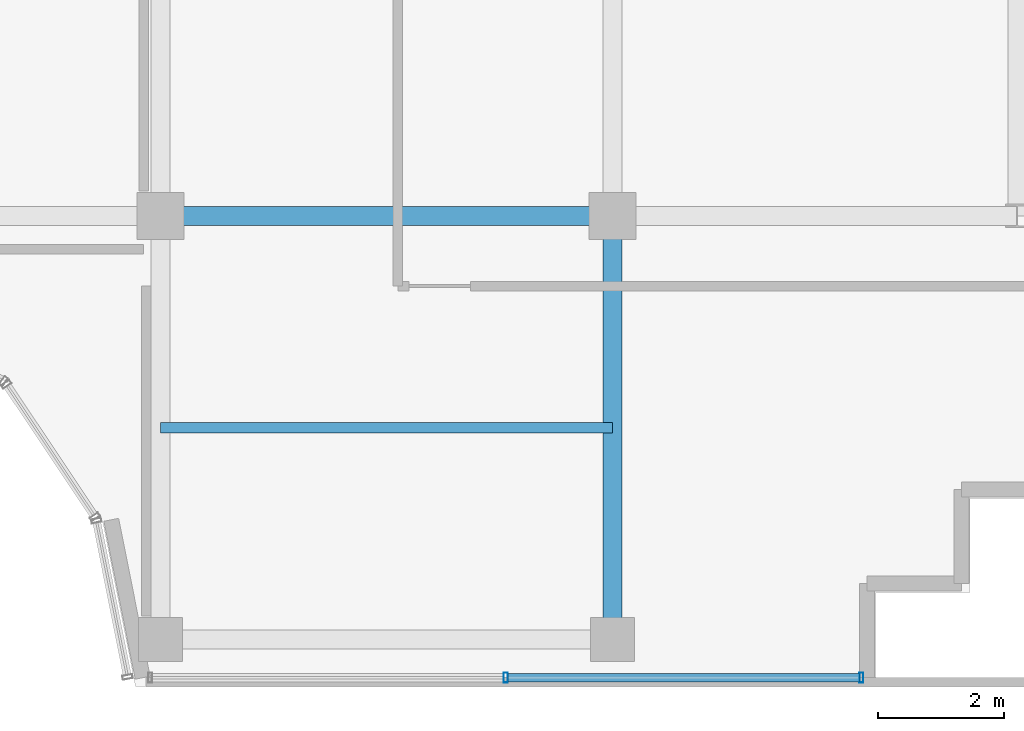
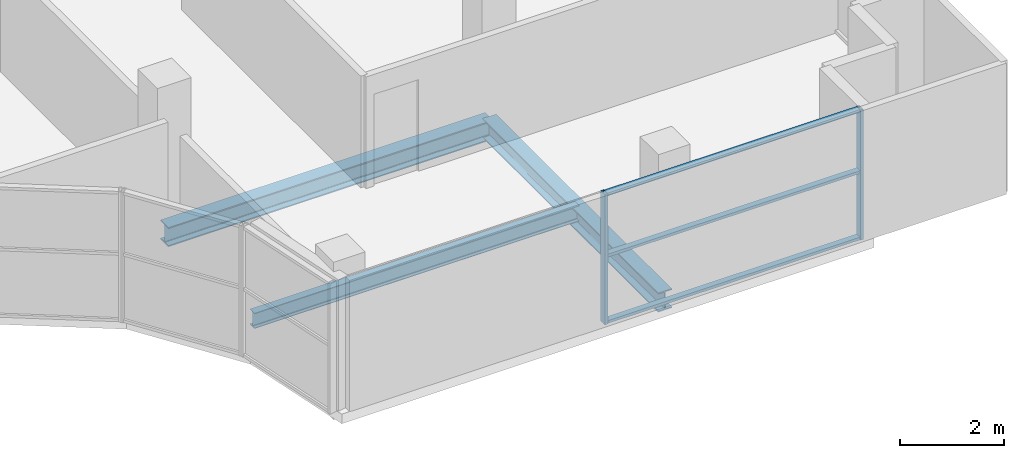
# One storey, part 11 of 28: 5 members, 3 beams, 1 element without a shape of its own.
"""IFC4 building model written with IfcOpenShell, lengths in metres."""

from ifc_helpers import new_model, si_unit, direction, frame, origin, origin_2d, place, context, subcontext, project, spatial, hollow_rectangle, i_section, extrude, source, transform, mapped, material, layer, layer_set, material_profile, profile_set, type_object, element, aggregate, save


model = new_model("IFC4")

# Units and contexts
model_context = context("Model", 3, precision=1e-05, world=origin(), true_north=direction((0.0, 1.0)))
body_context = subcontext(model_context, "Body", "Model", "MODEL_VIEW")
ifc_project = project(units=[si_unit("LENGTHUNIT", "METRE"), si_unit("AREAUNIT", "SQUARE_METRE"), si_unit("VOLUMEUNIT", "CUBIC_METRE"), si_unit("PLANEANGLEUNIT", "RADIAN"), si_unit("MASSUNIT", "GRAM", prefix="KILO")], contexts=[model_context])

# Site, building, storey
site_placement = place(None, origin())
site = spatial("IfcSite", under=ifc_project, at=site_placement, CompositionType="ELEMENT")
building_placement = place(site_placement, origin())
building = spatial("IfcBuilding", under=site, at=building_placement, Name="Zarnakvel Exchange Tower", CompositionType="ELEMENT")
storey_placement = place(building_placement, frame((0.0, 0.0, 261.699951171875)))
storey = spatial("IfcBuildingStorey", under=building, at=storey_placement, Name="L74", CompositionType="ELEMENT", Elevation=261.699951171875)

# Beams
ifc_material_1 = material(Name="Steel S355", Category="steel")
ifc_material_profile_1 = material_profile(ifc_material_1, i_section(OverallWidth=0.169921875, OverallDepth=0.360107421875, WebThickness=0.008056640625, FlangeThickness=0.0126953125, FilletRadius=0.01806640625, at=origin_2d()))
ifc_profile_set_1 = profile_set([ifc_material_profile_1], Name="Steel S355")
beam_type_1 = type_object("IfcBeamType", Name="B-07", PredefinedType="JOIST", material=ifc_profile_set_1)
beam_1_placement = place(storey_placement, frame((7.199951171875, -12.97509765625, -0.405029296875), z_axis=(1.0, 0.0, 0.0), x_axis=(0.0, 1.0, 0.0)))
element("IfcBeam", 1, at=beam_1_placement, inside=storey, type_object=beam_type_1, Name="L74 Composite Floor Secondary Joist", PredefinedType="JOIST", context=body_context, shape_type="SweptSolid", body=[
    extrude(i_section(OverallWidth=0.169921875, OverallDepth=0.360107421875, WebThickness=0.008056640625, FlangeThickness=0.0126953125, FilletRadius=0.01806640625, at=origin_2d()), origin(), (0.0, 0.0, 1.0), 7.199951171875),
])
ifc_material_profile_2 = material_profile(ifc_material_1, i_section(OverallWidth=0.300048828125, OverallDepth=0.449951171875, WebThickness=0.013916015625, FlangeThickness=0.02587890625, FilletRadius=0.027099609375, at=origin_2d()))
ifc_profile_set_2 = profile_set([ifc_material_profile_2], Name="Steel S355")
beam_type_2 = type_object("IfcBeamType", Name="G-07", PredefinedType="BEAM", material=ifc_profile_set_2)
beam_2_placement = place(storey_placement, frame((7.199951171875, -9.60009765625, -0.449951171875), z_axis=(1.0, 0.0, 0.0), x_axis=(0.0, 1.0, 0.0)))
element("IfcBeam", 2, at=beam_2_placement, inside=storey, type_object=beam_type_2, Name="L74 Tower E-W Frame Beam", PredefinedType="BEAM", context=body_context, shape_type="SweptSolid", body=[
    extrude(i_section(OverallWidth=0.300048828125, OverallDepth=0.449951171875, WebThickness=0.013916015625, FlangeThickness=0.02587890625, FilletRadius=0.027099609375, at=origin_2d()), origin(), (0.0, 0.0, 1.0), 7.199951171875),
])
beam_3_placement = place(storey_placement, frame((14.39990234375, -16.35009765625, -0.449951171875), z_axis=(0.0, 1.0, 0.0), x_axis=(-1.0, 0.0, 0.0)))
element("IfcBeam", 3, at=beam_3_placement, inside=storey, type_object=beam_type_2, Name="L74 Tower N-S Frame Beam", PredefinedType="BEAM", context=body_context, shape_type="SweptSolid", body=[
    extrude(i_section(OverallWidth=0.300048828125, OverallDepth=0.449951171875, WebThickness=0.013916015625, FlangeThickness=0.02587890625, FilletRadius=0.027099609375, at=origin_2d()), origin(), (0.0, 0.0, 1.0), 6.75),
])

# Curtain wall, members
ifc_material_2 = material(Name="Architectural Bronze Anodised Aluminium", Category="aluminium")
ifc_layer = layer(ifc_material_2, 0.159912109375)
ifc_layer_set = layer_set([ifc_layer], Name="Architectural Bronze Anodised Aluminium")
curtain_wall_type = type_object("IfcCurtainWallType", Name="CW-06", PredefinedType="NOTDEFINED", material=ifc_layer_set)
curtain_wall_placement = place(storey_placement, origin())
curtain_wall = element("IfcCurtainWall", 4, at=curtain_wall_placement, inside=storey, type_object=curtain_wall_type, Name="L74 Curtain Wall CW-L74-NSE (CW-06)", PredefinedType="NOTDEFINED")
ifc_material_profile_3 = material_profile(ifc_material_2, hollow_rectangle(XDim=0.1298828125, YDim=0.06494140625, WallThickness=0.00390625, at=origin_2d()))
ifc_profile_set_3 = profile_set([ifc_material_profile_3], Name="Architectural Bronze Anodised Aluminium")
member_type_1 = type_object("IfcMemberType", Name="CWT-06", PredefinedType="USERDEFINED", material=ifc_profile_set_3)
shared_shape_1 = source(origin(), body_context, "Body", "SweptSolid", [
    extrude(hollow_rectangle(XDim=0.1298828125, YDim=0.06494140625, WallThickness=0.00390625, at=origin_2d()), origin(), (0.0, 0.0, 1.0), 5.6025390625),
])
member_1_placement = place(storey_placement, frame((12.732421875, -16.9599609375, 0.032470703125), z_axis=(1.0, 0.0, 0.0), x_axis=(0.0, 1.0, 0.0)))
member_1 = element("IfcMember", 5, at=member_1_placement, type_object=member_type_1, Name="CW-06 transom 2.1", ObjectType="TRANSOM", PredefinedType="USERDEFINED", context=body_context, shape_type="MappedRepresentation", body=[
    mapped(shared_shape_1, transform((0.0, 0.0, 0.0), x_axis=(1.0, 0.0, 0.0), y_axis=(0.0, 1.0, 0.0), z_axis=(0.0, 0.0, 1.0), scale=1.0)),
])
member_2_placement = place(storey_placement, frame((12.732421875, -16.9599609375, 1.588623046875), z_axis=(1.0, 0.0, 0.0), x_axis=(0.0, 1.0, 0.0)))
member_2 = element("IfcMember", 6, at=member_2_placement, type_object=member_type_1, Name="CW-06 transom 2.2", ObjectType="TRANSOM", PredefinedType="USERDEFINED", context=body_context, shape_type="MappedRepresentation", body=[
    mapped(shared_shape_1, transform((0.0, 0.0, 0.0), x_axis=(1.0, 0.0, 0.0), y_axis=(0.0, 1.0, 0.0), z_axis=(0.0, 0.0, 1.0), scale=1.0)),
])
member_3_placement = place(storey_placement, frame((12.732421875, -16.9599609375, 3.0224609375), z_axis=(1.0, 0.0, 0.0), x_axis=(0.0, 1.0, 0.0)))
member_3 = element("IfcMember", 7, at=member_3_placement, type_object=member_type_1, Name="CW-06 transom 2.3", ObjectType="TRANSOM", PredefinedType="USERDEFINED", context=body_context, shape_type="MappedRepresentation", body=[
    mapped(shared_shape_1, transform((0.0, 0.0, 0.0), x_axis=(1.0, 0.0, 0.0), y_axis=(0.0, 1.0, 0.0), z_axis=(0.0, 0.0, 1.0), scale=1.0)),
])
ifc_material_profile_4 = material_profile(ifc_material_2, hollow_rectangle(XDim=0.159912109375, YDim=0.06494140625, WallThickness=0.00390625, at=origin_2d()))
ifc_profile_set_4 = profile_set([ifc_material_profile_4], Name="Architectural Bronze Anodised Aluminium")
member_type_2 = type_object("IfcMemberType", Name="CWM-06", PredefinedType="MULLION", material=ifc_profile_set_4)
shared_shape_2 = source(origin(), body_context, "Body", "SweptSolid", [
    extrude(hollow_rectangle(XDim=0.159912109375, YDim=0.06494140625, WallThickness=0.00390625, at=origin_2d()), origin(), (0.0, 0.0, 1.0), 3.054931640625),
])
member_4_placement = place(storey_placement, frame((12.699951171875, -16.9599609375, 0.0), z_axis=(0.0, 0.0, 1.0), x_axis=(0.0, 1.0, 0.0)))
member_4 = element("IfcMember", 8, at=member_4_placement, type_object=member_type_2, Name="CW-06 mullion 2", PredefinedType="MULLION", context=body_context, shape_type="MappedRepresentation", body=[
    mapped(shared_shape_2, transform((0.0, 0.0, 0.0), x_axis=(1.0, 0.0, 0.0), y_axis=(0.0, 1.0, 0.0), z_axis=(0.0, 0.0, 1.0), scale=1.0)),
])
member_5_placement = place(storey_placement, frame((18.367431640625, -16.9599609375, 0.0), z_axis=(0.0, 0.0, 1.0), x_axis=(0.0, 1.0, 0.0)))
member_5 = element("IfcMember", 9, at=member_5_placement, type_object=member_type_2, Name="CW-06 mullion 3", PredefinedType="MULLION", context=body_context, shape_type="MappedRepresentation", body=[
    mapped(shared_shape_2, transform((0.0, 0.0, 0.0), x_axis=(1.0, 0.0, 0.0), y_axis=(0.0, 1.0, 0.0), z_axis=(0.0, 0.0, 1.0), scale=1.0)),
])
aggregate(curtain_wall, [member_4, member_5, member_1, member_2, member_3])

save(model, "model.ifc")
